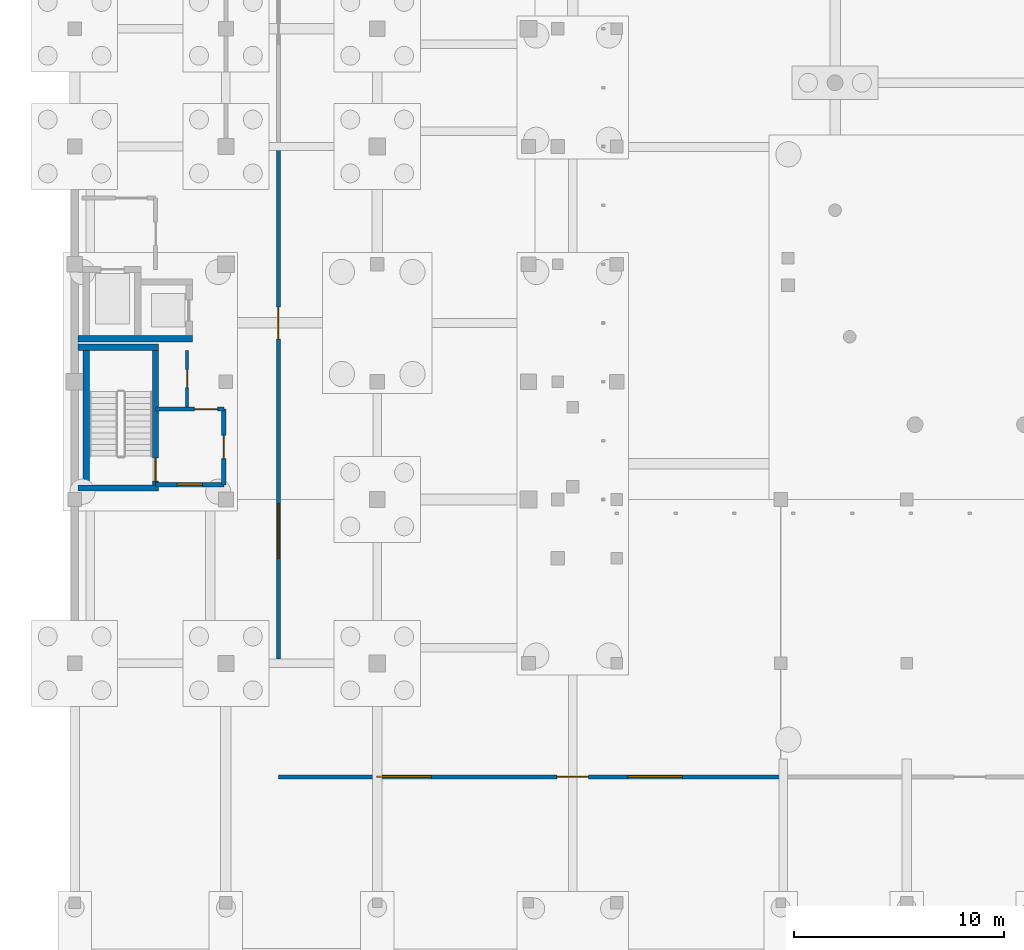
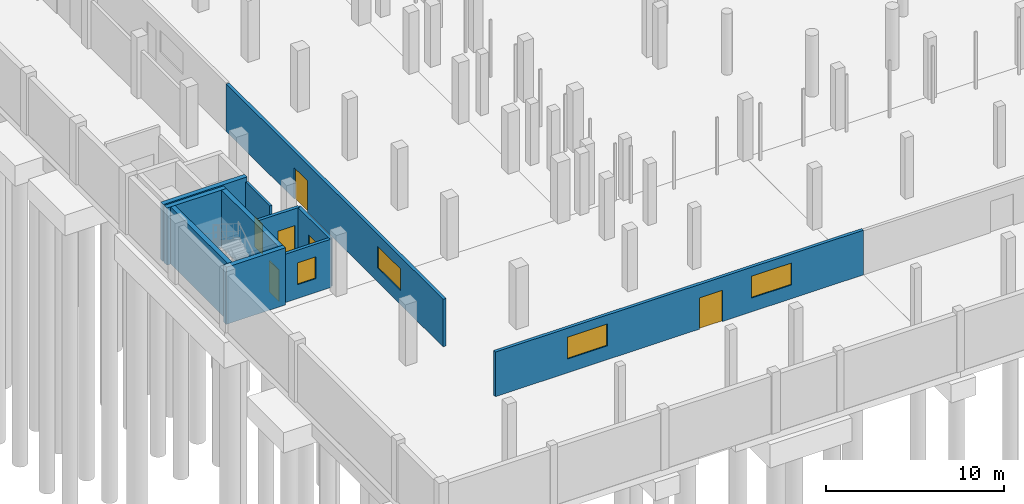
# One storey, part 23 of 34: 11 walls, 6 doors, 4 windows, 10 openings.
"""IFC4 building model written with IfcOpenShell, lengths in metres."""

from ifc_helpers import new_model, si_unit, direction, frame, frame_2d, origin, place, context, subcontext, project, spatial, rectangle, extrude, material, layer, layer_set, type_object, element, fill, save


model = new_model("IFC4")

# Units and contexts
model_context = context("Model", 3, precision=1e-05, world=origin(), true_north=direction((0.0, 1.0)))
body_context = subcontext(model_context, "Body", "Model", "MODEL_VIEW")
ifc_project = project(units=[si_unit("LENGTHUNIT", "METRE"), si_unit("AREAUNIT", "SQUARE_METRE"), si_unit("VOLUMEUNIT", "CUBIC_METRE"), si_unit("PLANEANGLEUNIT", "RADIAN"), si_unit("MASSUNIT", "GRAM", prefix="KILO")], contexts=[model_context])

# Site, building, storey
site_placement = place(None, origin())
site = spatial("IfcSite", under=ifc_project, at=site_placement, CompositionType="ELEMENT")
building_placement = place(site_placement, origin())
building = spatial("IfcBuilding", under=site, at=building_placement, Name="Vinh Khe Railworks Police Headquarters", CompositionType="ELEMENT")
storey_placement = place(building_placement, frame((0.0, 0.0, -4.199951171875)))
storey = spatial("IfcBuildingStorey", under=building, at=storey_placement, Name="B1", CompositionType="ELEMENT", Elevation=-4.199951171875)

# Walls
ifc_material_1 = material(Name="Concrete C40/50 (B40)", Category="concrete")
ifc_layer_1 = layer(ifc_material_1, 0.300048828125)
ifc_layer_set_1 = layer_set([ifc_layer_1], Name="Concrete C40/50 (B40)")
wall_type_1 = type_object("IfcWallType", Name="Core Shear Wall 300", PredefinedType="SHEAR", material=ifc_layer_set_1)
for number, where, z_axis, x_axis, name in (
    (1, (0.75, 25.75, 0.0), (0.0, 0.0, 1.0), (1.0, 0.0, 0.0), "Core C1 STAIR-S Shear Wall (B1)"),
    (2, (0.75, 32.449951171875, 0.0), (0.0, 0.0, 1.0), (1.0, 0.0, 0.0), "Core C1 STAIR-N Shear Wall (B1)"),
):
    element("IfcWall", number, at=place(storey_placement, frame(where, z_axis=z_axis, x_axis=x_axis)), inside=storey, type_object=wall_type_1, Name=name, PredefinedType="SHEAR", context=body_context, shape_type="SweptSolid", body=[
        extrude(rectangle(XDim=3.85009765625, YDim=0.300048828125, at=frame_2d((1.925048828125, 0.0))), origin(), (0.0, 0.0, 1.0), 3.919921875),
    ])
wall_1_placement = place(storey_placement, frame((1.14990234375, 25.89990234375, 0.0), z_axis=(0.0, 0.0, 1.0), x_axis=(0.0, 1.0, 0.0)))
element("IfcWall", 3, at=wall_1_placement, inside=storey, type_object=wall_type_1, Name="Core C1 STAIR-W Shear Wall (B1)", PredefinedType="SHEAR", context=body_context, shape_type="SweptSolid", body=[
    extrude(rectangle(XDim=6.400146484375, YDim=0.300048828125, at=frame_2d((3.2001953125, 0.0))), origin(), (0.0, 0.0, 1.0), 3.919921875),
])

# Wall, opening, door
wall_2_placement = place(storey_placement, frame((4.449951171875, 25.89990234375, 0.0), z_axis=(0.0, 0.0, 1.0), x_axis=(0.0, 1.0, 0.0)))
wall_2 = element("IfcWall", 4, at=wall_2_placement, inside=storey, type_object=wall_type_1, Name="Core C1 STAIR-E Shear Wall (B1)", PredefinedType="SHEAR", context=body_context, shape_type="SweptSolid", body=[
    extrude(rectangle(XDim=6.400146484375, YDim=0.300048828125, at=frame_2d((3.2001953125, 0.0))), origin(), (0.0, 0.0, 1.0), 3.919921875),
])
opening_1_placement = place(wall_2_placement, frame((0.169921875, 0.0, 0.0)))
opening_1 = element("IfcOpeningElement", 5, at=opening_1_placement, cuts=wall_2, Name="Opening FD-01", PredefinedType="OPENING", context=body_context, shape_type="SweptSolid", body=[
    extrude(rectangle(XDim=1.10009765625, YDim=2.14990234375, at=frame_2d((0.550048828125, 1.074951171875))), frame((0.0, 0.1650390625, 0.0), z_axis=(0.0, -1.0, 0.0), x_axis=(1.0, 0.0, 0.0)), (0.0, 0.0, 1.0), 0.329833984375),
])
ifc_material_2 = material(Name="Painted galvanised steel", Category="steel")
door_type_1 = type_object("IfcDoorType", Name="FD-1100x2150", OperationType="NOTDEFINED", PredefinedType="DOOR", material=ifc_material_2)
door_1_placement = place(opening_1_placement, frame((1.10009765625, 0.0, 0.0), z_axis=(0.0, 0.0, 1.0), x_axis=(-1.0, 0.0, 0.0)))
door_1 = element("IfcDoor", 6, at=door_1_placement, inside=storey, type_object=door_type_1, Name="Escape Stair ST-01 Fire Door B1", OperationType="SINGLE_SWING_RIGHT", OverallHeight=2.14990234375, OverallWidth=1.10009765625, PredefinedType="DOOR", context=body_context, shape_type="SweptSolid", body=[
    extrude(rectangle(XDim=1.10009765625, YDim=2.14990234375, at=frame_2d((0.550048828125, 1.074951171875))), frame((0.0, 0.02490234375, 0.0), z_axis=(0.0, -1.0, 0.0), x_axis=(1.0, 0.0, 0.0)), (0.0, 0.0, 1.0), 0.050048828125),
])
fill(opening_1, door_1)

# Wall
wall_3_placement = place(storey_placement, frame((0.75, 32.85009765625, 0.0), z_axis=(0.0, 0.0, 1.0), x_axis=(1.0, 0.0, 0.0)))
element("IfcWall", 7, at=wall_3_placement, inside=storey, type_object=wall_type_1, Name="Core C1 FL-S Lift Shaft Wall (B1)", PredefinedType="SHEAR", context=body_context, shape_type="SweptSolid", body=[
    extrude(rectangle(XDim=5.449951171875, YDim=0.300048828125, at=frame_2d((2.72509765625, 0.0))), origin(), (0.0, 0.0, 1.0), 3.919921875),
])

# Wall, opening, window
ifc_material_3 = material(Name="Autoclaved aerated concrete blockwork", Category="masonry")
ifc_layer_2 = layer(ifc_material_3, 0.199951171875)
ifc_layer_set_2 = layer_set([ifc_layer_2], Name="Autoclaved aerated concrete blockwork")
wall_type_2 = type_object("IfcWallType", Name="IW-BLK-200", PredefinedType="PARTITIONING", material=ifc_layer_set_2)
wall_4_placement = place(storey_placement, frame((4.449951171875, 25.89990234375, 0.0), z_axis=(0.0, 0.0, 1.0), x_axis=(1.0, 0.0, 0.0)))
wall_4 = element("IfcWall", 8, at=wall_4_placement, inside=storey, type_object=wall_type_2, Name="Interior Partition W-STL-C1-S-B1", PredefinedType="PARTITIONING", context=body_context, shape_type="SweptSolid", body=[
    extrude(rectangle(XDim=3.25, YDim=0.199951171875, at=frame_2d((1.625, 0.0))), origin(), (0.0, 0.0, 1.0), 3.31494140625),
])
opening_2_placement = place(wall_4_placement, frame((1.02490234375, 0.0, 0.949951171875)))
opening_2 = element("IfcOpeningElement", 9, at=opening_2_placement, cuts=wall_4, Name="Opening WN-10", PredefinedType="OPENING", context=body_context, shape_type="SweptSolid", body=[
    extrude(rectangle(XDim=1.199951171875, YDim=1.5, at=frame_2d((0.60009765625, 0.75))), frame((0.0, 0.11474609375, 0.0), z_axis=(0.0, -1.0, 0.0), x_axis=(1.0, 0.0, 0.0)), (0.0, 0.0, 1.0), 0.229736328125),
])
ifc_material_4 = material(Name="Double-glazed solar-control glass in dark steel frame", Category="steel")
window_type_1 = type_object("IfcWindowType", Name="WIN-WN-10", PartitioningType="SINGLE_PANEL", PredefinedType="WINDOW", material=ifc_material_4)
window_1_placement = place(opening_2_placement, origin())
window_1 = element("IfcWindow", 10, at=window_1_placement, inside=storey, type_object=window_type_1, Name="Interior Acoustic Vision Window WN-10", OverallHeight=1.5, OverallWidth=1.199951171875, PartitioningType="SINGLE_PANEL", PredefinedType="WINDOW", context=body_context, shape_type="SweptSolid", body=[
    extrude(rectangle(XDim=1.199951171875, YDim=1.5, at=frame_2d((0.60009765625, 0.75))), frame((0.0, 0.030029296875, 0.0), z_axis=(0.0, -1.0, 0.0), x_axis=(1.0, 0.0, 0.0)), (0.0, 0.0, 1.0), 0.06005859375),
])
fill(opening_2, window_1)

# Wall, opening, door
wall_5_placement = place(storey_placement, frame((4.449951171875, 29.5, 0.0), z_axis=(0.0, 0.0, 1.0), x_axis=(1.0, 0.0, 0.0)))
wall_5 = element("IfcWall", 11, at=wall_5_placement, inside=storey, type_object=wall_type_2, Name="Interior Partition W-STL-C1-N-B1", PredefinedType="PARTITIONING", context=body_context, shape_type="SweptSolid", body=[
    extrude(rectangle(XDim=3.25, YDim=0.199951171875, at=frame_2d((1.625, 0.0))), origin(), (0.0, 0.0, 1.0), 3.31494140625),
])
opening_3_placement = place(wall_5_placement, frame((1.85009765625, 0.0, 0.0)))
opening_3 = element("IfcOpeningElement", 12, at=opening_3_placement, cuts=wall_5, Name="Opening FD-01", PredefinedType="OPENING", context=body_context, shape_type="SweptSolid", body=[
    extrude(rectangle(XDim=1.10009765625, YDim=2.14990234375, at=frame_2d((0.550048828125, 1.074951171875))), frame((0.0, 0.11474609375, 0.0), z_axis=(0.0, -1.0, 0.0), x_axis=(1.0, 0.0, 0.0)), (0.0, 0.0, 1.0), 0.229736328125),
])
door_2_placement = place(opening_3_placement, origin())
door_2 = element("IfcDoor", 13, at=door_2_placement, inside=storey, type_object=door_type_1, Name="Lift Lobby Stair Fire Door", OperationType="SINGLE_SWING_RIGHT", OverallHeight=2.14990234375, OverallWidth=1.10009765625, PredefinedType="DOOR", context=body_context, shape_type="SweptSolid", body=[
    extrude(rectangle(XDim=1.10009765625, YDim=2.14990234375, at=frame_2d((0.550048828125, 1.074951171875))), frame((0.0, 0.02490234375, 0.0), z_axis=(0.0, -1.0, 0.0), x_axis=(1.0, 0.0, 0.0)), (0.0, 0.0, 1.0), 0.050048828125),
])
fill(opening_3, door_2)

wall_6_placement = place(storey_placement, frame((7.699951171875, 25.89990234375, 0.0), z_axis=(0.0, 0.0, 1.0), x_axis=(0.0, 1.0, 0.0)))
wall_6 = element("IfcWall", 14, at=wall_6_placement, inside=storey, type_object=wall_type_2, Name="Interior Partition W-STL-C1-E-B1", PredefinedType="PARTITIONING", context=body_context, shape_type="SweptSolid", body=[
    extrude(rectangle(XDim=3.60009765625, YDim=0.199951171875, at=frame_2d((1.800048828125, 0.0))), origin(), (0.0, 0.0, 1.0), 3.31494140625),
])
opening_4_placement = place(wall_6_placement, frame((1.25, 0.0, 0.0)))
opening_4 = element("IfcOpeningElement", 15, at=opening_4_placement, cuts=wall_6, Name="Opening FD-01", PredefinedType="OPENING", context=body_context, shape_type="SweptSolid", body=[
    extrude(rectangle(XDim=1.10009765625, YDim=2.14990234375, at=frame_2d((0.550048828125, 1.074951171875))), frame((0.0, 0.11474609375, 0.0), z_axis=(0.0, -1.0, 0.0), x_axis=(1.0, 0.0, 0.0)), (0.0, 0.0, 1.0), 0.229736328125),
])
door_3_placement = place(opening_4_placement, origin())
door_3 = element("IfcDoor", 16, at=door_3_placement, inside=storey, type_object=door_type_1, Name="Stair Vestibule Fire Door", OperationType="SINGLE_SWING_LEFT", OverallHeight=2.14990234375, OverallWidth=1.10009765625, PredefinedType="DOOR", context=body_context, shape_type="SweptSolid", body=[
    extrude(rectangle(XDim=1.10009765625, YDim=2.14990234375, at=frame_2d((0.550048828125, 1.074951171875))), frame((0.0, 0.02490234375, 0.0), z_axis=(0.0, -1.0, 0.0), x_axis=(1.0, 0.0, 0.0)), (0.0, 0.0, 1.0), 0.050048828125),
])
fill(opening_4, door_3)

# Wall, openings, door, windows
wall_7_placement = place(storey_placement, frame((10.300048828125, 12.0, 0.0), z_axis=(0.0, 0.0, 1.0), x_axis=(1.0, 0.0, 0.0)))
wall_7 = element("IfcWall", 17, at=wall_7_placement, inside=storey, type_object=wall_type_2, Name="Interior Partition W-B1-CHL", PredefinedType="PARTITIONING", context=body_context, shape_type="SweptSolid", body=[
    extrude(rectangle(XDim=23.89990234375, YDim=0.199951171875, at=frame_2d((11.949951171875, 0.0))), origin(), (0.0, 0.0, 1.0), 3.06494140625),
])
opening_5_placement = place(wall_7_placement, frame((13.25, 0.0, 0.0)))
opening_5 = element("IfcOpeningElement", 18, at=opening_5_placement, cuts=wall_7, Name="Opening FD-02", PredefinedType="OPENING", context=body_context, shape_type="SweptSolid", body=[
    extrude(rectangle(XDim=1.5, YDim=2.14990234375, at=frame_2d((0.75, 1.074951171875))), frame((0.0, 0.11474609375, 0.0), z_axis=(0.0, -1.0, 0.0), x_axis=(1.0, 0.0, 0.0)), (0.0, 0.0, 1.0), 0.229736328125),
])
opening_6_placement = place(wall_7_placement, frame((4.675048828125, 0.0, 0.949951171875)))
opening_6 = element("IfcOpeningElement", 19, at=opening_6_placement, cuts=wall_7, Name="Opening WN-07", PredefinedType="OPENING", context=body_context, shape_type="SweptSolid", body=[
    extrude(rectangle(XDim=2.60009765625, YDim=1.5, at=frame_2d((1.300048828125, 0.75))), frame((0.0, 0.11474609375, 0.0), z_axis=(0.0, -1.0, 0.0), x_axis=(1.0, 0.0, 0.0)), (0.0, 0.0, 1.0), 0.229736328125),
])
opening_7_placement = place(wall_7_placement, frame((16.625, 0.0, 0.949951171875)))
opening_7 = element("IfcOpeningElement", 20, at=opening_7_placement, cuts=wall_7, Name="Opening WN-07", PredefinedType="OPENING", context=body_context, shape_type="SweptSolid", body=[
    extrude(rectangle(XDim=2.60009765625, YDim=1.5, at=frame_2d((1.300048828125, 0.75))), frame((0.0, 0.11474609375, 0.0), z_axis=(0.0, -1.0, 0.0), x_axis=(1.0, 0.0, 0.0)), (0.0, 0.0, 1.0), 0.229736328125),
])
door_type_2 = type_object("IfcDoorType", Name="FD-1500x2150", OperationType="DOUBLE_DOOR_SINGLE_SWING", PredefinedType="DOOR", material=ifc_material_2)
door_4_placement = place(opening_5_placement, origin())
door_4 = element("IfcDoor", 21, at=door_4_placement, inside=storey, type_object=door_type_2, Name="Chiller and HVAC Plant Door", OperationType="DOUBLE_DOOR_SINGLE_SWING", OverallHeight=2.14990234375, OverallWidth=1.5, PredefinedType="DOOR", context=body_context, shape_type="SweptSolid", body=[
    extrude(rectangle(XDim=1.5, YDim=2.14990234375, at=frame_2d((0.75, 1.074951171875))), frame((0.0, 0.02490234375, 0.0), z_axis=(0.0, -1.0, 0.0), x_axis=(1.0, 0.0, 0.0)), (0.0, 0.0, 1.0), 0.050048828125),
])
fill(opening_5, door_4)
window_type_2 = type_object("IfcWindowType", Name="WIN-WN-07", PartitioningType="DOUBLE_PANEL_HORIZONTAL", PredefinedType="WINDOW", material=ifc_material_4)
window_2_placement = place(opening_6_placement, origin())
window_2 = element("IfcWindow", 22, at=window_2_placement, inside=storey, type_object=window_type_2, Name="Interior Acoustic Vision Window WN-07", OverallHeight=1.5, OverallWidth=2.60009765625, PartitioningType="SINGLE_PANEL", PredefinedType="WINDOW", context=body_context, shape_type="SweptSolid", body=[
    extrude(rectangle(XDim=2.60009765625, YDim=1.5, at=frame_2d((1.300048828125, 0.75))), frame((0.0, 0.030029296875, 0.0), z_axis=(0.0, -1.0, 0.0), x_axis=(1.0, 0.0, 0.0)), (0.0, 0.0, 1.0), 0.06005859375),
])
fill(opening_6, window_2)
window_3_placement = place(opening_7_placement, origin())
window_3 = element("IfcWindow", 23, at=window_3_placement, inside=storey, type_object=window_type_2, Name="Interior Acoustic Vision Window WN-07", OverallHeight=1.5, OverallWidth=2.60009765625, PartitioningType="SINGLE_PANEL", PredefinedType="WINDOW", context=body_context, shape_type="SweptSolid", body=[
    extrude(rectangle(XDim=2.60009765625, YDim=1.5, at=frame_2d((1.300048828125, 0.75))), frame((0.0, 0.030029296875, 0.0), z_axis=(0.0, -1.0, 0.0), x_axis=(1.0, 0.0, 0.0)), (0.0, 0.0, 1.0), 0.06005859375),
])
fill(opening_7, window_3)

# Wall, openings, door, window
wall_8_placement = place(storey_placement, frame((10.300048828125, 17.60009765625, 0.0), z_axis=(0.0, 0.0, 1.0), x_axis=(0.0, 1.0, 0.0)))
wall_8 = element("IfcWall", 24, at=wall_8_placement, inside=storey, type_object=wall_type_2, Name="Interior Partition W-B1-CLDV", PredefinedType="PARTITIONING", context=body_context, shape_type="SweptSolid", body=[
    extrude(rectangle(XDim=24.39990234375, YDim=0.199951171875, at=frame_2d((12.199951171875, 0.0))), origin(), (0.0, 0.0, 1.0), 3.264892578125),
])
opening_8_placement = place(wall_8_placement, frame((15.25, 0.0, 0.0)))
opening_8 = element("IfcOpeningElement", 25, at=opening_8_placement, cuts=wall_8, Name="Opening FD-02", PredefinedType="OPENING", context=body_context, shape_type="SweptSolid", body=[
    extrude(rectangle(XDim=1.5, YDim=2.14990234375, at=frame_2d((0.75, 1.074951171875))), frame((0.0, 0.11474609375, 0.0), z_axis=(0.0, -1.0, 0.0), x_axis=(1.0, 0.0, 0.0)), (0.0, 0.0, 1.0), 0.229736328125),
])
opening_9_placement = place(wall_8_placement, frame((4.800048828125, 0.0, 0.949951171875)))
opening_9 = element("IfcOpeningElement", 26, at=opening_9_placement, cuts=wall_8, Name="Opening WN-07", PredefinedType="OPENING", context=body_context, shape_type="SweptSolid", body=[
    extrude(rectangle(XDim=2.60009765625, YDim=1.5, at=frame_2d((1.300048828125, 0.75))), frame((0.0, 0.11474609375, 0.0), z_axis=(0.0, -1.0, 0.0), x_axis=(1.0, 0.0, 0.0)), (0.0, 0.0, 1.0), 0.229736328125),
])
door_5_placement = place(opening_8_placement, origin())
door_5 = element("IfcDoor", 27, at=door_5_placement, inside=storey, type_object=door_type_2, Name="Evidence Cold-Chain Vault Door", OperationType="DOUBLE_DOOR_SINGLE_SWING", OverallHeight=2.14990234375, OverallWidth=1.5, PredefinedType="DOOR", context=body_context, shape_type="SweptSolid", body=[
    extrude(rectangle(XDim=1.5, YDim=2.14990234375, at=frame_2d((0.75, 1.074951171875))), frame((0.0, 0.02490234375, 0.0), z_axis=(0.0, -1.0, 0.0), x_axis=(1.0, 0.0, 0.0)), (0.0, 0.0, 1.0), 0.050048828125),
])
fill(opening_8, door_5)
window_4_placement = place(opening_9_placement, origin())
window_4 = element("IfcWindow", 28, at=window_4_placement, inside=storey, type_object=window_type_2, Name="Interior Acoustic Vision Window WN-07", OverallHeight=1.5, OverallWidth=2.60009765625, PartitioningType="SINGLE_PANEL", PredefinedType="WINDOW", context=body_context, shape_type="SweptSolid", body=[
    extrude(rectangle(XDim=2.60009765625, YDim=1.5, at=frame_2d((1.300048828125, 0.75))), frame((0.0, 0.030029296875, 0.0), z_axis=(0.0, -1.0, 0.0), x_axis=(1.0, 0.0, 0.0)), (0.0, 0.0, 1.0), 0.06005859375),
])
fill(opening_9, window_4)

# Wall, opening, door
ifc_material_5 = material(Name="Gypsum plasterboard on acoustic steel stud", Category="steel")
ifc_layer_3 = layer(ifc_material_5, 0.14990234375)
ifc_layer_set_3 = layer_set([ifc_layer_3], Name="Gypsum plasterboard on acoustic steel stud")
wall_type_3 = type_object("IfcWallType", Name="IW-PART-150", PredefinedType="PARTITIONING", material=ifc_layer_set_3)
wall_9_placement = place(storey_placement, frame((5.949951171875, 29.60009765625, 0.0), z_axis=(0.0, 0.0, 1.0), x_axis=(0.0, 1.0, 0.0)))
wall_9 = element("IfcWall", 29, at=wall_9_placement, inside=storey, type_object=wall_type_3, Name="Interior Partition W-RSR-C1-E-B1", PredefinedType="PARTITIONING", context=body_context, shape_type="SweptSolid", body=[
    extrude(rectangle(XDim=2.699951171875, YDim=0.14990234375, at=frame_2d((1.35009765625, 0.0))), origin(), (0.0, 0.0, 1.0), 3.9150390625),
])
opening_10_placement = place(wall_9_placement, frame((0.925048828125, 0.0, 0.0)))
opening_10 = element("IfcOpeningElement", 30, at=opening_10_placement, cuts=wall_9, Name="Opening FD-04", PredefinedType="OPENING", context=body_context, shape_type="SweptSolid", body=[
    extrude(rectangle(XDim=0.85009765625, YDim=2.10009765625, at=frame_2d((0.425048828125, 1.050048828125))), frame((0.0, 0.08984375, 0.0), z_axis=(0.0, -1.0, 0.0), x_axis=(1.0, 0.0, 0.0)), (0.0, 0.0, 1.0), 0.1796875),
])
door_type_3 = type_object("IfcDoorType", Name="FD-850x2100", OperationType="NOTDEFINED", PredefinedType="DOOR", material=ifc_material_2)
door_6_placement = place(opening_10_placement, origin())
door_6 = element("IfcDoor", 31, at=door_6_placement, inside=storey, type_object=door_type_3, Name="Electrical Riser Access Door", OperationType="SINGLE_SWING_RIGHT", OverallHeight=2.10009765625, OverallWidth=0.85009765625, PredefinedType="DOOR", context=body_context, shape_type="SweptSolid", body=[
    extrude(rectangle(XDim=0.85009765625, YDim=2.10009765625, at=frame_2d((0.425048828125, 1.050048828125))), frame((0.0, 0.02490234375, 0.0), z_axis=(0.0, -1.0, 0.0), x_axis=(1.0, 0.0, 0.0)), (0.0, 0.0, 1.0), 0.050048828125),
])
fill(opening_10, door_6)

save(model, "model.ifc")
